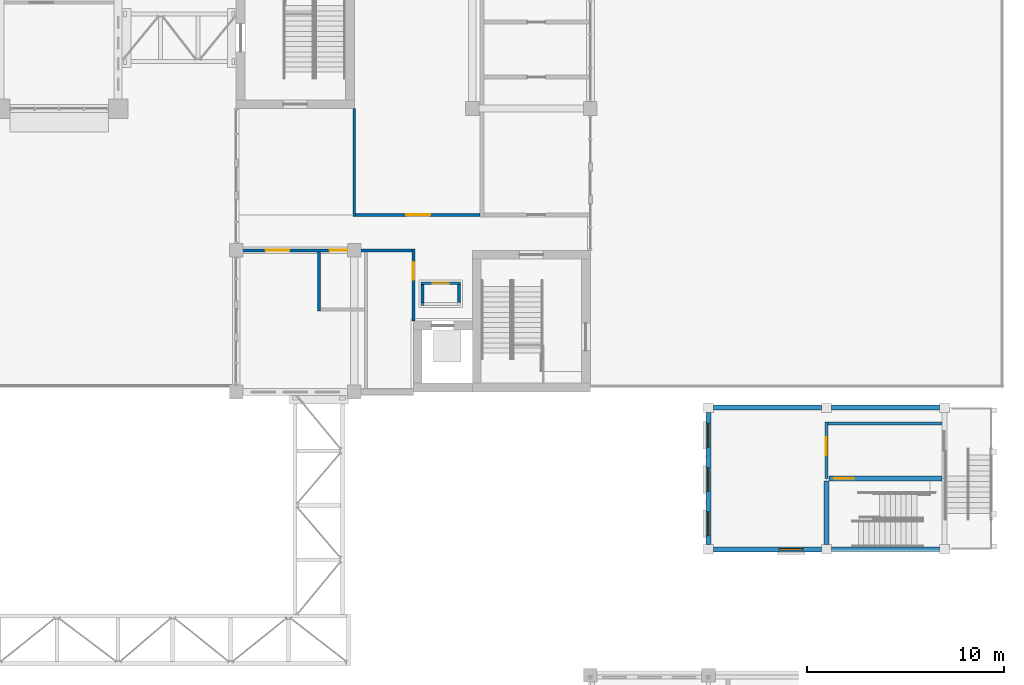
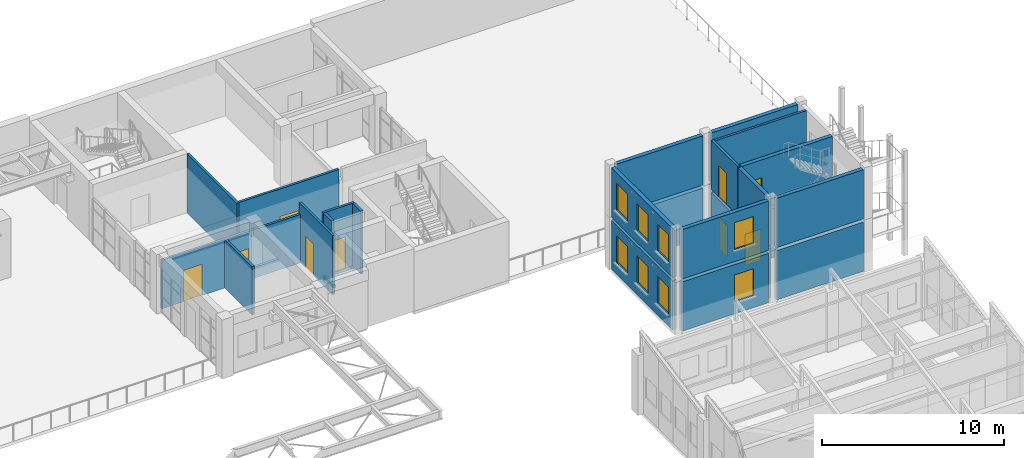
# One storey, part 71 of 103: 28 walls, 9 doors, 8 windows, 17 openings.
"""IFC4 building model written with IfcOpenShell, lengths in metres."""

from ifc_helpers import new_model, si_unit, direction, frame, frame_2d, origin, place, context, subcontext, project, spatial, rectangle, extrude, material, layer, layer_set, type_object, element, fill, save


model = new_model("IFC4")

# Units and contexts
model_context = context("Model", 3, precision=1e-05, world=origin(), true_north=direction((0.0, 1.0)))
body_context = subcontext(model_context, "Body", "Model", "MODEL_VIEW")
ifc_project = project(units=[si_unit("LENGTHUNIT", "METRE"), si_unit("AREAUNIT", "SQUARE_METRE"), si_unit("VOLUMEUNIT", "CUBIC_METRE"), si_unit("PLANEANGLEUNIT", "RADIAN"), si_unit("MASSUNIT", "GRAM", prefix="KILO")], contexts=[model_context])

# Site, building, storey
site_placement = place(None, origin())
site = spatial("IfcSite", under=ifc_project, at=site_placement, CompositionType="ELEMENT")
building_placement = place(site_placement, origin())
building = spatial("IfcBuilding", under=site, at=building_placement, Name="Laocheng Heights Fire and Rescue Headquarters", CompositionType="ELEMENT")
storey_placement = place(building_placement, frame((0.0, 0.0, 4.199951171875)))
storey = spatial("IfcBuildingStorey", under=building, at=storey_placement, Name="L01", CompositionType="ELEMENT", Elevation=4.199951171875)

# Walls
ifc_material_1 = material(Name="Gypsum plaster")
ifc_layer_1 = layer(ifc_material_1, 0.010009765625, Name="PLASTER", Category="plaster")
ifc_material_2 = material(Name="Concrete blockwork MU10", Category="masonry")
ifc_layer_2 = layer(ifc_material_2, 0.1298828125, Name="BLOCKWORK", Category="masonry")
ifc_layer_3 = layer(ifc_material_1, 0.010009765625, Name="PLASTER", Category="plaster")
ifc_layer_set_1 = layer_set([ifc_layer_1, ifc_layer_2, ifc_layer_3], Name="Concrete blockwork MU10")
wall_type_1 = type_object("IfcWallType", Name="BLOCKWORK CORRIDOR WALL 150 EI 60 CREW WING", PredefinedType="PARTITIONING", material=ifc_layer_set_1)
wall_1_placement = place(storey_placement, frame((94.199951171875, 40.125, 0.0), z_axis=(0.0, 0.0, 1.0), x_axis=(0.0, 1.0, 0.0)))
element("IfcWall", 1, at=wall_1_placement, inside=storey, type_object=wall_type_1, Name="Partition L01-001", PredefinedType="PARTITIONING", context=body_context, shape_type="SweptSolid", body=[
    extrude(rectangle(XDim=3.0, YDim=0.14990234375, at=frame_2d((1.5, 0.0))), origin(), (0.0, 0.0, 1.0), 3.25),
])
wall_2_placement = place(storey_placement, frame((96.0, 44.925048828125, 0.0), z_axis=(0.0, 0.0, 1.0), x_axis=(0.0, 1.0, 0.0)))
element("IfcWall", 2, at=wall_2_placement, inside=storey, type_object=wall_type_1, Name="Partition L01-002", PredefinedType="PARTITIONING", context=body_context, shape_type="SweptSolid", body=[
    extrude(rectangle(XDim=5.474853515625, YDim=0.14990234375, at=frame_2d((2.7373046875, 0.0))), origin(), (0.0, 0.0, 1.0), 3.949951171875),
])

# Wall, opening, door
wall_3_placement = place(storey_placement, frame((99.0, 39.60009765625, 0.0), z_axis=(0.0, 0.0, 1.0), x_axis=(0.0, 1.0, 0.0)))
wall_3 = element("IfcWall", 3, at=wall_3_placement, inside=storey, type_object=wall_type_1, Name="Partition L01-004", PredefinedType="PARTITIONING", context=body_context, shape_type="SweptSolid", body=[
    extrude(rectangle(XDim=3.6748046875, YDim=0.14990234375, at=frame_2d((1.83740234375, 0.0))), origin(), (0.0, 0.0, 1.0), 3.949951171875),
])
opening_1_placement = place(wall_3_placement, frame((2.10009765625, 0.0, 0.0)))
opening_1 = element("IfcOpeningElement", 4, at=opening_1_placement, cuts=wall_3, Name="Opening L01-T01", PredefinedType="OPENING", context=body_context, shape_type="SweptSolid", body=[
    extrude(rectangle(XDim=0.89990234375, YDim=2.10009765625, at=frame_2d((0.449951171875, 1.050048828125))), frame((0.0, 0.0849609375, 0.0), z_axis=(0.0, -1.0, 0.0), x_axis=(1.0, 0.0, 0.0)), (0.0, 0.0, 1.0), 0.169921875),
])
ifc_material_3 = material(Name="Timber door leaf, veneered", Category="wood")
door_type_1 = type_object("IfcDoorType", Name="TIMBER DOOR 900x2100 EI 30 CREW WING", OperationType="SINGLE_SWING_LEFT", PredefinedType="DOOR", material=ifc_material_3)
door_1_placement = place(opening_1_placement, origin())
door_1 = element("IfcDoor", 5, at=door_1_placement, inside=storey, type_object=door_type_1, Name="Door L01-T01", OperationType="SINGLE_SWING_RIGHT", OverallHeight=2.10009765625, OverallWidth=0.89990234375, PredefinedType="DOOR", context=body_context, shape_type="SweptSolid", body=[
    extrude(rectangle(XDim=0.89990234375, YDim=2.10009765625, at=frame_2d((0.449951171875, 1.050048828125))), frame((0.0, 0.02490234375, 0.0), z_axis=(0.0, -1.0, 0.0), x_axis=(1.0, 0.0, 0.0)), (0.0, 0.0, 1.0), 0.050048828125),
])
fill(opening_1, door_1)

# Wall, openings, doors
wall_4_placement = place(storey_placement, frame((90.14990234375, 43.199951171875, 0.0), z_axis=(0.0, 0.0, 1.0), x_axis=(1.0, 0.0, 0.0)))
wall_4 = element("IfcWall", 6, at=wall_4_placement, inside=storey, type_object=wall_type_1, Name="Partition L01-007", PredefinedType="PARTITIONING", context=body_context, shape_type="SweptSolid", body=[
    extrude(rectangle(XDim=8.775146484375, YDim=0.14990234375, at=frame_2d((4.3876953125, 0.0))), origin(), (0.0, 0.0, 1.0), 3.25),
])
opening_2_placement = place(wall_4_placement, frame((1.35009765625, 0.0, 0.0)))
opening_2 = element("IfcOpeningElement", 7, at=opening_2_placement, cuts=wall_4, Name="Opening L01-T02", PredefinedType="OPENING", context=body_context, shape_type="SweptSolid", body=[
    extrude(rectangle(XDim=1.199951171875, YDim=2.10009765625, at=frame_2d((0.60009765625, 1.050048828125))), frame((0.0, 0.0849609375, 0.0), z_axis=(0.0, -1.0, 0.0), x_axis=(1.0, 0.0, 0.0)), (0.0, 0.0, 1.0), 0.169921875),
])
opening_3_placement = place(wall_4_placement, frame((4.60009765625, 0.0, 0.0)))
opening_3 = element("IfcOpeningElement", 8, at=opening_3_placement, cuts=wall_4, Name="Opening L01-T03", PredefinedType="OPENING", context=body_context, shape_type="SweptSolid", body=[
    extrude(rectangle(XDim=0.89990234375, YDim=2.10009765625, at=frame_2d((0.449951171875, 1.050048828125))), frame((0.0, 0.0849609375, 0.0), z_axis=(0.0, -1.0, 0.0), x_axis=(1.0, 0.0, 0.0)), (0.0, 0.0, 1.0), 0.169921875),
])
ifc_material_4 = material(Name="Timber door leaf, veneered", Category="wood")
door_type_2 = type_object("IfcDoorType", Name="TIMBER DOOR 1200x2100 EI 30 CREW WING", OperationType="SINGLE_SWING_LEFT", PredefinedType="DOOR", material=ifc_material_4)
door_2_placement = place(opening_2_placement, frame((1.199951171875, 0.0, 0.0), z_axis=(0.0, 0.0, 1.0), x_axis=(-1.0, 0.0, 0.0)))
door_2 = element("IfcDoor", 9, at=door_2_placement, inside=storey, type_object=door_type_2, Name="Door L01-T02", OperationType="SINGLE_SWING_LEFT", OverallHeight=2.10009765625, OverallWidth=1.199951171875, PredefinedType="DOOR", context=body_context, shape_type="SweptSolid", body=[
    extrude(rectangle(XDim=1.199951171875, YDim=2.10009765625, at=frame_2d((0.60009765625, 1.050048828125))), frame((0.0, 0.02490234375, 0.0), z_axis=(0.0, -1.0, 0.0), x_axis=(1.0, 0.0, 0.0)), (0.0, 0.0, 1.0), 0.050048828125),
])
fill(opening_2, door_2)
door_3_placement = place(opening_3_placement, frame((0.89990234375, 0.0, 0.0), z_axis=(0.0, 0.0, 1.0), x_axis=(-1.0, 0.0, 0.0)))
door_3 = element("IfcDoor", 10, at=door_3_placement, inside=storey, type_object=door_type_1, Name="Door L01-T03", OperationType="SINGLE_SWING_RIGHT", OverallHeight=2.10009765625, OverallWidth=0.89990234375, PredefinedType="DOOR", context=body_context, shape_type="SweptSolid", body=[
    extrude(rectangle(XDim=0.89990234375, YDim=2.10009765625, at=frame_2d((0.449951171875, 1.050048828125))), frame((0.0, 0.02490234375, 0.0), z_axis=(0.0, -1.0, 0.0), x_axis=(1.0, 0.0, 0.0)), (0.0, 0.0, 1.0), 0.050048828125),
])
fill(opening_3, door_3)

# Wall, opening, door
wall_5_placement = place(storey_placement, frame((96.074951171875, 45.0, 0.0), z_axis=(0.0, 0.0, 1.0), x_axis=(1.0, 0.0, 0.0)))
wall_5 = element("IfcWall", 11, at=wall_5_placement, inside=storey, type_object=wall_type_1, Name="Partition L01-008", PredefinedType="PARTITIONING", context=body_context, shape_type="SweptSolid", body=[
    extrude(rectangle(XDim=6.324951171875, YDim=0.14990234375, at=frame_2d((3.16259765625, 0.0))), origin(), (0.0, 0.0, 1.0), 3.949951171875),
])
opening_4_placement = place(wall_5_placement, frame((2.574951171875, 0.0, 0.0)))
opening_4 = element("IfcOpeningElement", 12, at=opening_4_placement, cuts=wall_5, Name="Opening L01-T04", PredefinedType="OPENING", context=body_context, shape_type="SweptSolid", body=[
    extrude(rectangle(XDim=1.199951171875, YDim=2.10009765625, at=frame_2d((0.60009765625, 1.050048828125))), frame((0.0, 0.0849609375, 0.0), z_axis=(0.0, -1.0, 0.0), x_axis=(1.0, 0.0, 0.0)), (0.0, 0.0, 1.0), 0.169921875),
])
door_4_placement = place(opening_4_placement, frame((1.199951171875, 0.0, 0.0), z_axis=(0.0, 0.0, 1.0), x_axis=(-1.0, 0.0, 0.0)))
door_4 = element("IfcDoor", 13, at=door_4_placement, inside=storey, type_object=door_type_2, Name="Door L01-T04", OperationType="SINGLE_SWING_RIGHT", OverallHeight=2.10009765625, OverallWidth=1.199951171875, PredefinedType="DOOR", context=body_context, shape_type="SweptSolid", body=[
    extrude(rectangle(XDim=1.199951171875, YDim=2.10009765625, at=frame_2d((0.60009765625, 1.050048828125))), frame((0.0, 0.02490234375, 0.0), z_axis=(0.0, -1.0, 0.0), x_axis=(1.0, 0.0, 0.0)), (0.0, 0.0, 1.0), 0.050048828125),
])
fill(opening_4, door_4)

ifc_material_5 = material(Name="Gypsum plaster")
ifc_layer_4 = layer(ifc_material_5, 0.010009765625, Name="PLASTER", Category="plaster")
ifc_material_6 = material(Name="Concrete blockwork MU10", Category="masonry")
ifc_layer_5 = layer(ifc_material_6, 0.1298828125, Name="BLOCKWORK", Category="masonry")
ifc_layer_6 = layer(ifc_material_5, 0.010009765625, Name="PLASTER", Category="plaster")
ifc_layer_set_2 = layer_set([ifc_layer_4, ifc_layer_5, ifc_layer_6], Name="Concrete blockwork MU10")
wall_type_2 = type_object("IfcWallType", Name="BLOCKWORK STAIR LANDING WALL 150 EI 120 DRILL TOWER", PredefinedType="PARTITIONING", material=ifc_layer_set_2)
wall_6_placement = place(storey_placement, frame((120.0, 31.60009765625, -0.699951171875), z_axis=(0.0, 0.0, 1.0), x_axis=(0.0, 1.0, 0.0)))
wall_6 = element("IfcWall", 14, at=wall_6_placement, inside=storey, type_object=wall_type_2, Name="Landing partition F2", PredefinedType="PARTITIONING", context=body_context, shape_type="SweptSolid", body=[
    extrude(rectangle(XDim=2.875, YDim=0.14990234375, at=frame_2d((1.4375, 0.0))), origin(), (0.0, 0.0, 1.0), 3.300048828125),
])
opening_5_placement = place(wall_6_placement, frame((1.1875, 0.0, 0.0)))
opening_5 = element("IfcOpeningElement", 15, at=opening_5_placement, cuts=wall_6, Name="Opening L01-L51", PredefinedType="OPENING", context=body_context, shape_type="SweptSolid", body=[
    extrude(rectangle(XDim=0.89990234375, YDim=2.10009765625, at=frame_2d((0.449951171875, 1.050048828125))), frame((0.0, 0.0849609375, 0.0), z_axis=(0.0, -1.0, 0.0), x_axis=(1.0, 0.0, 0.0)), (0.0, 0.0, 1.0), 0.169921875),
])
ifc_material_7 = material(Name="Steel door leaf, painted", Category="steel")
door_type_3 = type_object("IfcDoorType", Name="STEEL FIRE DOOR 900x2100 EI 90 DRILL TOWER", OperationType="SINGLE_SWING_LEFT", PredefinedType="DOOR", material=ifc_material_7)
door_5_placement = place(opening_5_placement, frame((0.89990234375, 0.0, 0.0), z_axis=(0.0, 0.0, 1.0), x_axis=(-1.0, 0.0, 0.0)))
door_5 = element("IfcDoor", 16, at=door_5_placement, inside=storey, type_object=door_type_3, Name="Door L01-L51", OperationType="SINGLE_SWING_LEFT", OverallHeight=2.10009765625, OverallWidth=0.89990234375, PredefinedType="DOOR", context=body_context, shape_type="SweptSolid", body=[
    extrude(rectangle(XDim=0.89990234375, YDim=2.10009765625, at=frame_2d((0.449951171875, 1.050048828125))), frame((0.0, 0.02490234375, 0.0), z_axis=(0.0, -1.0, 0.0), x_axis=(1.0, 0.0, 0.0)), (0.0, 0.0, 1.0), 0.050048828125),
])
fill(opening_5, door_5)

# Wall
wall_7_placement = place(storey_placement, frame((120.074951171875, 34.39990234375, -0.699951171875), z_axis=(0.0, 0.0, 1.0), x_axis=(1.0, 0.0, 0.0)))
element("IfcWall", 17, at=wall_7_placement, inside=storey, type_object=wall_type_2, Name="Landing partition F2", PredefinedType="PARTITIONING", context=body_context, shape_type="SweptSolid", body=[
    extrude(rectangle(XDim=5.800048828125, YDim=0.14990234375, at=frame_2d((2.89990234375, 0.0))), origin(), (0.0, 0.0, 1.0), 3.300048828125),
])

# Wall, opening, door
wall_8_placement = place(storey_placement, frame((120.0, 31.60009765625, 2.800048828125), z_axis=(0.0, 0.0, 1.0), x_axis=(0.0, 1.0, 0.0)))
wall_8 = element("IfcWall", 18, at=wall_8_placement, inside=storey, type_object=wall_type_2, Name="Landing partition F3", PredefinedType="PARTITIONING", context=body_context, shape_type="SweptSolid", body=[
    extrude(rectangle(XDim=2.875, YDim=0.14990234375, at=frame_2d((1.4375, 0.0))), origin(), (0.0, 0.0, 1.0), 3.300048828125),
])
opening_6_placement = place(wall_8_placement, frame((1.1875, 0.0, 0.0)))
opening_6 = element("IfcOpeningElement", 19, at=opening_6_placement, cuts=wall_8, Name="Opening L01-L52", PredefinedType="OPENING", context=body_context, shape_type="SweptSolid", body=[
    extrude(rectangle(XDim=0.89990234375, YDim=2.10009765625, at=frame_2d((0.449951171875, 1.050048828125))), frame((0.0, 0.0849609375, 0.0), z_axis=(0.0, -1.0, 0.0), x_axis=(1.0, 0.0, 0.0)), (0.0, 0.0, 1.0), 0.169921875),
])
door_6_placement = place(opening_6_placement, frame((0.89990234375, 0.0, 0.0), z_axis=(0.0, 0.0, 1.0), x_axis=(-1.0, 0.0, 0.0)))
door_6 = element("IfcDoor", 20, at=door_6_placement, inside=storey, type_object=door_type_3, Name="Door L01-L52", OperationType="SINGLE_SWING_LEFT", OverallHeight=2.10009765625, OverallWidth=0.89990234375, PredefinedType="DOOR", context=body_context, shape_type="SweptSolid", body=[
    extrude(rectangle(XDim=0.89990234375, YDim=2.10009765625, at=frame_2d((0.449951171875, 1.050048828125))), frame((0.0, 0.02490234375, 0.0), z_axis=(0.0, -1.0, 0.0), x_axis=(1.0, 0.0, 0.0)), (0.0, 0.0, 1.0), 0.050048828125),
])
fill(opening_6, door_6)

# Wall
wall_9_placement = place(storey_placement, frame((120.074951171875, 34.39990234375, 2.800048828125), z_axis=(0.0, 0.0, 1.0), x_axis=(1.0, 0.0, 0.0)))
element("IfcWall", 21, at=wall_9_placement, inside=storey, type_object=wall_type_2, Name="Landing partition F3", PredefinedType="PARTITIONING", context=body_context, shape_type="SweptSolid", body=[
    extrude(rectangle(XDim=5.800048828125, YDim=0.14990234375, at=frame_2d((2.89990234375, 0.0))), origin(), (0.0, 0.0, 1.0), 3.300048828125),
])

# Wall, opening, window
ifc_material_8 = material(Name="Concrete C40", Category="concrete")
ifc_layer_7 = layer(ifc_material_8, 0.25)
ifc_layer_set_3 = layer_set([ifc_layer_7], Name="Concrete C40")
wall_type_3 = type_object("IfcWallType", Name="RC SHEAR WALL 250 BOARD-MARKED DRILL TOWER", PredefinedType="SHEAR", material=ifc_layer_set_3)
wall_10_placement = place(storey_placement, frame((114.25, 28.0, -0.699951171875), z_axis=(0.0, 0.0, 1.0), x_axis=(1.0, 0.0, 0.0)))
wall_10 = element("IfcWall", 22, at=wall_10_placement, inside=storey, type_object=wall_type_3, Name="Drill tower wall S F2", PredefinedType="SHEAR", context=body_context, shape_type="SweptSolid", body=[
    extrude(rectangle(XDim=5.5, YDim=0.25, at=frame_2d((2.75, 0.0))), origin(), (0.0, 0.0, 1.0), 3.300048828125),
])
opening_7_placement = place(wall_10_placement, frame((3.35009765625, 0.0, 0.800048828125)))
opening_7 = element("IfcOpeningElement", 23, at=opening_7_placement, cuts=wall_10, Name="Opening N3-L", PredefinedType="OPENING", context=body_context, shape_type="SweptSolid", body=[
    extrude(rectangle(XDim=1.199951171875, YDim=1.800048828125, at=frame_2d((0.60009765625, 0.89990234375))), frame((0.0, 0.135009765625, 0.0), z_axis=(0.0, -1.0, 0.0), x_axis=(1.0, 0.0, 0.0)), (0.0, 0.0, 1.0), 0.27001953125),
])
ifc_material_9 = material(Name="Steel frame, single glazing", Category="steel")
window_type = type_object("IfcWindowType", Name="STEEL TRAINING WINDOW 1200 x 1800", PartitioningType="SINGLE_PANEL", PredefinedType="WINDOW", material=ifc_material_9)
window_1_placement = place(opening_7_placement, origin())
window_1 = element("IfcWindow", 24, at=window_1_placement, inside=storey, type_object=window_type, Name="Training window second floor south face", OverallHeight=1.800048828125, OverallWidth=1.199951171875, PartitioningType="SINGLE_PANEL", PredefinedType="WINDOW", context=body_context, shape_type="SweptSolid", body=[
    extrude(rectangle(XDim=1.199951171875, YDim=1.800048828125, at=frame_2d((0.60009765625, 0.89990234375))), frame((0.0, 0.030029296875, 0.0), z_axis=(0.0, -1.0, 0.0), x_axis=(1.0, 0.0, 0.0)), (0.0, 0.0, 1.0), 0.06005859375),
])
fill(opening_7, window_1)

# Walls
for number, where, z_axis, x_axis, name in (
    (25, (114.25, 35.199951171875, -0.699951171875), (0.0, 0.0, 1.0), (1.0, 0.0, 0.0), "Drill tower wall N F2"),
    (26, (120.25, 35.199951171875, -0.699951171875), (0.0, 0.0, 1.0), (1.0, 0.0, 0.0), "Drill tower wall N F2"),
):
    element("IfcWall", number, at=place(storey_placement, frame(where, z_axis=z_axis, x_axis=x_axis)), inside=storey, type_object=wall_type_3, Name=name, PredefinedType="SHEAR", context=body_context, shape_type="SweptSolid", body=[
        extrude(rectangle(XDim=5.5, YDim=0.25, at=frame_2d((2.75, 0.0))), origin(), (0.0, 0.0, 1.0), 3.300048828125),
    ])

# Wall, openings, windows
wall_11_placement = place(storey_placement, frame((114.0, 28.25, -0.699951171875), z_axis=(0.0, 0.0, 1.0), x_axis=(0.0, 1.0, 0.0)))
wall_11 = element("IfcWall", 27, at=wall_11_placement, inside=storey, type_object=wall_type_3, Name="Drill tower wall W F2", PredefinedType="SHEAR", context=body_context, shape_type="SweptSolid", body=[
    extrude(rectangle(XDim=6.699951171875, YDim=0.25, at=frame_2d((3.35009765625, 0.0))), origin(), (0.0, 0.0, 1.0), 3.300048828125),
])
opening_8_placement = place(wall_11_placement, frame((0.449951171875, 0.0, 0.800048828125)))
opening_8 = element("IfcOpeningElement", 28, at=opening_8_placement, cuts=wall_11, Name="Opening N3-L", PredefinedType="OPENING", context=body_context, shape_type="SweptSolid", body=[
    extrude(rectangle(XDim=1.199951171875, YDim=1.800048828125, at=frame_2d((0.60009765625, 0.89990234375))), frame((0.0, 0.135009765625, 0.0), z_axis=(0.0, -1.0, 0.0), x_axis=(1.0, 0.0, 0.0)), (0.0, 0.0, 1.0), 0.27001953125),
])
opening_9_placement = place(wall_11_placement, frame((2.699951171875, 0.0, 0.800048828125)))
opening_9 = element("IfcOpeningElement", 29, at=opening_9_placement, cuts=wall_11, Name="Opening N3-L", PredefinedType="OPENING", context=body_context, shape_type="SweptSolid", body=[
    extrude(rectangle(XDim=1.199951171875, YDim=1.800048828125, at=frame_2d((0.60009765625, 0.89990234375))), frame((0.0, 0.135009765625, 0.0), z_axis=(0.0, -1.0, 0.0), x_axis=(1.0, 0.0, 0.0)), (0.0, 0.0, 1.0), 0.27001953125),
])
opening_10_placement = place(wall_11_placement, frame((4.949951171875, 0.0, 0.800048828125)))
opening_10 = element("IfcOpeningElement", 30, at=opening_10_placement, cuts=wall_11, Name="Opening N3-L", PredefinedType="OPENING", context=body_context, shape_type="SweptSolid", body=[
    extrude(rectangle(XDim=1.199951171875, YDim=1.800048828125, at=frame_2d((0.60009765625, 0.89990234375))), frame((0.0, 0.135009765625, 0.0), z_axis=(0.0, -1.0, 0.0), x_axis=(1.0, 0.0, 0.0)), (0.0, 0.0, 1.0), 0.27001953125),
])
window_2_placement = place(opening_8_placement, origin())
window_2 = element("IfcWindow", 31, at=window_2_placement, inside=storey, type_object=window_type, Name="Training window second floor west face", OverallHeight=1.800048828125, OverallWidth=1.199951171875, PartitioningType="SINGLE_PANEL", PredefinedType="WINDOW", context=body_context, shape_type="SweptSolid", body=[
    extrude(rectangle(XDim=1.199951171875, YDim=1.800048828125, at=frame_2d((0.60009765625, 0.89990234375))), frame((0.0, 0.030029296875, 0.0), z_axis=(0.0, -1.0, 0.0), x_axis=(1.0, 0.0, 0.0)), (0.0, 0.0, 1.0), 0.06005859375),
])
fill(opening_8, window_2)
window_3_placement = place(opening_9_placement, origin())
window_3 = element("IfcWindow", 32, at=window_3_placement, inside=storey, type_object=window_type, Name="Training window second floor west face", OverallHeight=1.800048828125, OverallWidth=1.199951171875, PartitioningType="SINGLE_PANEL", PredefinedType="WINDOW", context=body_context, shape_type="SweptSolid", body=[
    extrude(rectangle(XDim=1.199951171875, YDim=1.800048828125, at=frame_2d((0.60009765625, 0.89990234375))), frame((0.0, 0.030029296875, 0.0), z_axis=(0.0, -1.0, 0.0), x_axis=(1.0, 0.0, 0.0)), (0.0, 0.0, 1.0), 0.06005859375),
])
fill(opening_9, window_3)
window_4_placement = place(opening_10_placement, origin())
window_4 = element("IfcWindow", 33, at=window_4_placement, inside=storey, type_object=window_type, Name="Training window second floor west face", OverallHeight=1.800048828125, OverallWidth=1.199951171875, PartitioningType="SINGLE_PANEL", PredefinedType="WINDOW", context=body_context, shape_type="SweptSolid", body=[
    extrude(rectangle(XDim=1.199951171875, YDim=1.800048828125, at=frame_2d((0.60009765625, 0.89990234375))), frame((0.0, 0.030029296875, 0.0), z_axis=(0.0, -1.0, 0.0), x_axis=(1.0, 0.0, 0.0)), (0.0, 0.0, 1.0), 0.06005859375),
])
fill(opening_10, window_4)

# Wall, opening, window
wall_12_placement = place(storey_placement, frame((114.25, 28.0, 2.800048828125), z_axis=(0.0, 0.0, 1.0), x_axis=(1.0, 0.0, 0.0)))
wall_12 = element("IfcWall", 34, at=wall_12_placement, inside=storey, type_object=wall_type_3, Name="Drill tower wall S F3", PredefinedType="SHEAR", context=body_context, shape_type="SweptSolid", body=[
    extrude(rectangle(XDim=5.5, YDim=0.25, at=frame_2d((2.75, 0.0))), origin(), (0.0, 0.0, 1.0), 3.300048828125),
])
opening_11_placement = place(wall_12_placement, frame((3.35009765625, 0.0, 0.800048828125)))
opening_11 = element("IfcOpeningElement", 35, at=opening_11_placement, cuts=wall_12, Name="Opening N4-L", PredefinedType="OPENING", context=body_context, shape_type="SweptSolid", body=[
    extrude(rectangle(XDim=1.199951171875, YDim=1.800048828125, at=frame_2d((0.60009765625, 0.89990234375))), frame((0.0, 0.135009765625, 0.0), z_axis=(0.0, -1.0, 0.0), x_axis=(1.0, 0.0, 0.0)), (0.0, 0.0, 1.0), 0.27001953125),
])
window_5_placement = place(opening_11_placement, origin())
window_5 = element("IfcWindow", 36, at=window_5_placement, inside=storey, type_object=window_type, Name="Training window third floor south face", OverallHeight=1.800048828125, OverallWidth=1.199951171875, PartitioningType="SINGLE_PANEL", PredefinedType="WINDOW", context=body_context, shape_type="SweptSolid", body=[
    extrude(rectangle(XDim=1.199951171875, YDim=1.800048828125, at=frame_2d((0.60009765625, 0.89990234375))), frame((0.0, 0.030029296875, 0.0), z_axis=(0.0, -1.0, 0.0), x_axis=(1.0, 0.0, 0.0)), (0.0, 0.0, 1.0), 0.06005859375),
])
fill(opening_11, window_5)

# Walls
for number, where, z_axis, x_axis, name in (
    (37, (114.25, 35.199951171875, 2.800048828125), (0.0, 0.0, 1.0), (1.0, 0.0, 0.0), "Drill tower wall N F3"),
    (38, (120.25, 35.199951171875, 2.800048828125), (0.0, 0.0, 1.0), (1.0, 0.0, 0.0), "Drill tower wall N F3"),
):
    element("IfcWall", number, at=place(storey_placement, frame(where, z_axis=z_axis, x_axis=x_axis)), inside=storey, type_object=wall_type_3, Name=name, PredefinedType="SHEAR", context=body_context, shape_type="SweptSolid", body=[
        extrude(rectangle(XDim=5.5, YDim=0.25, at=frame_2d((2.75, 0.0))), origin(), (0.0, 0.0, 1.0), 3.300048828125),
    ])

# Wall, openings, windows
wall_13_placement = place(storey_placement, frame((114.0, 28.25, 2.800048828125), z_axis=(0.0, 0.0, 1.0), x_axis=(0.0, 1.0, 0.0)))
wall_13 = element("IfcWall", 39, at=wall_13_placement, inside=storey, type_object=wall_type_3, Name="Drill tower wall W F3", PredefinedType="SHEAR", context=body_context, shape_type="SweptSolid", body=[
    extrude(rectangle(XDim=6.699951171875, YDim=0.25, at=frame_2d((3.35009765625, 0.0))), origin(), (0.0, 0.0, 1.0), 3.300048828125),
])
opening_12_placement = place(wall_13_placement, frame((0.449951171875, 0.0, 0.800048828125)))
opening_12 = element("IfcOpeningElement", 40, at=opening_12_placement, cuts=wall_13, Name="Opening N4-L", PredefinedType="OPENING", context=body_context, shape_type="SweptSolid", body=[
    extrude(rectangle(XDim=1.199951171875, YDim=1.800048828125, at=frame_2d((0.60009765625, 0.89990234375))), frame((0.0, 0.135009765625, 0.0), z_axis=(0.0, -1.0, 0.0), x_axis=(1.0, 0.0, 0.0)), (0.0, 0.0, 1.0), 0.27001953125),
])
opening_13_placement = place(wall_13_placement, frame((2.699951171875, 0.0, 0.800048828125)))
opening_13 = element("IfcOpeningElement", 41, at=opening_13_placement, cuts=wall_13, Name="Opening N4-L", PredefinedType="OPENING", context=body_context, shape_type="SweptSolid", body=[
    extrude(rectangle(XDim=1.199951171875, YDim=1.800048828125, at=frame_2d((0.60009765625, 0.89990234375))), frame((0.0, 0.135009765625, 0.0), z_axis=(0.0, -1.0, 0.0), x_axis=(1.0, 0.0, 0.0)), (0.0, 0.0, 1.0), 0.27001953125),
])
opening_14_placement = place(wall_13_placement, frame((4.949951171875, 0.0, 0.800048828125)))
opening_14 = element("IfcOpeningElement", 42, at=opening_14_placement, cuts=wall_13, Name="Opening N4-L", PredefinedType="OPENING", context=body_context, shape_type="SweptSolid", body=[
    extrude(rectangle(XDim=1.199951171875, YDim=1.800048828125, at=frame_2d((0.60009765625, 0.89990234375))), frame((0.0, 0.135009765625, 0.0), z_axis=(0.0, -1.0, 0.0), x_axis=(1.0, 0.0, 0.0)), (0.0, 0.0, 1.0), 0.27001953125),
])
window_6_placement = place(opening_12_placement, origin())
window_6 = element("IfcWindow", 43, at=window_6_placement, inside=storey, type_object=window_type, Name="Training window third floor west face", OverallHeight=1.800048828125, OverallWidth=1.199951171875, PartitioningType="SINGLE_PANEL", PredefinedType="WINDOW", context=body_context, shape_type="SweptSolid", body=[
    extrude(rectangle(XDim=1.199951171875, YDim=1.800048828125, at=frame_2d((0.60009765625, 0.89990234375))), frame((0.0, 0.030029296875, 0.0), z_axis=(0.0, -1.0, 0.0), x_axis=(1.0, 0.0, 0.0)), (0.0, 0.0, 1.0), 0.06005859375),
])
fill(opening_12, window_6)
window_7_placement = place(opening_13_placement, origin())
window_7 = element("IfcWindow", 44, at=window_7_placement, inside=storey, type_object=window_type, Name="Training window third floor west face", OverallHeight=1.800048828125, OverallWidth=1.199951171875, PartitioningType="SINGLE_PANEL", PredefinedType="WINDOW", context=body_context, shape_type="SweptSolid", body=[
    extrude(rectangle(XDim=1.199951171875, YDim=1.800048828125, at=frame_2d((0.60009765625, 0.89990234375))), frame((0.0, 0.030029296875, 0.0), z_axis=(0.0, -1.0, 0.0), x_axis=(1.0, 0.0, 0.0)), (0.0, 0.0, 1.0), 0.06005859375),
])
fill(opening_13, window_7)
window_8_placement = place(opening_14_placement, origin())
window_8 = element("IfcWindow", 45, at=window_8_placement, inside=storey, type_object=window_type, Name="Training window third floor west face", OverallHeight=1.800048828125, OverallWidth=1.199951171875, PartitioningType="SINGLE_PANEL", PredefinedType="WINDOW", context=body_context, shape_type="SweptSolid", body=[
    extrude(rectangle(XDim=1.199951171875, YDim=1.800048828125, at=frame_2d((0.60009765625, 0.89990234375))), frame((0.0, 0.030029296875, 0.0), z_axis=(0.0, -1.0, 0.0), x_axis=(1.0, 0.0, 0.0)), (0.0, 0.0, 1.0), 0.06005859375),
])
fill(opening_14, window_8)

# Walls
ifc_material_10 = material(Name="Concrete C50", Category="concrete")
ifc_layer_8 = layer(ifc_material_10, 0.25)
ifc_layer_set_4 = layer_set([ifc_layer_8], Name="Concrete C50")
wall_type_4 = type_object("IfcWallType", Name="RC STAIR ENCLOSURE WALL 250", PredefinedType="SHEAR", material=ifc_layer_set_4)
wall_14_placement = place(storey_placement, frame((120.25, 28.0, -0.699951171875), z_axis=(0.0, 0.0, 1.0), x_axis=(1.0, 0.0, 0.0)))
element("IfcWall", 46, at=wall_14_placement, inside=storey, type_object=wall_type_4, Name="Stair enclosure wall", PredefinedType="SHEAR", context=body_context, shape_type="SweptSolid", body=[
    extrude(rectangle(XDim=5.5, YDim=0.25, at=frame_2d((2.75, 0.0))), origin(), (0.0, 0.0, 1.0), 3.300048828125),
])
wall_15_placement = place(storey_placement, frame((120.0, 28.25, -0.699951171875), z_axis=(0.0, 0.0, 1.0), x_axis=(0.0, 1.0, 0.0)))
element("IfcWall", 47, at=wall_15_placement, inside=storey, type_object=wall_type_4, Name="Stair enclosure wall", PredefinedType="SHEAR", context=body_context, shape_type="SweptSolid", body=[
    extrude(rectangle(XDim=3.22509765625, YDim=0.25, at=frame_2d((1.612548828125, 0.0))), origin(), (0.0, 0.0, 1.0), 3.300048828125),
])

# Wall, opening, door
wall_16_placement = place(storey_placement, frame((120.125, 31.60009765625, -0.699951171875), z_axis=(0.0, 0.0, 1.0), x_axis=(1.0, 0.0, 0.0)))
wall_16 = element("IfcWall", 48, at=wall_16_placement, inside=storey, type_object=wall_type_4, Name="Stair enclosure wall", PredefinedType="SHEAR", context=body_context, shape_type="SweptSolid", body=[
    extrude(rectangle(XDim=5.75, YDim=0.25, at=frame_2d((2.875, 0.0))), origin(), (0.0, 0.0, 1.0), 3.300048828125),
])
opening_15_placement = place(wall_16_placement, frame((0.27490234375, 0.0, 0.0)))
opening_15 = element("IfcOpeningElement", 49, at=opening_15_placement, cuts=wall_16, Name="Opening L01-K27", PredefinedType="OPENING", context=body_context, shape_type="SweptSolid", body=[
    extrude(rectangle(XDim=1.0, YDim=2.10009765625, at=frame_2d((0.5, 1.050048828125))), frame((0.0, 0.135009765625, 0.0), z_axis=(0.0, -1.0, 0.0), x_axis=(1.0, 0.0, 0.0)), (0.0, 0.0, 1.0), 0.27001953125),
])
ifc_material_11 = material(Name="Painted steel", Category="steel")
door_type_4 = type_object("IfcDoorType", Name="FIRE DOOR 1000x2100 EI 60", OperationType="SINGLE_SWING_LEFT", PredefinedType="DOOR", material=ifc_material_11)
door_7_placement = place(opening_15_placement, origin())
door_7 = element("IfcDoor", 50, at=door_7_placement, inside=storey, type_object=door_type_4, Name="Stair T1 door", OperationType="SINGLE_SWING_LEFT", OverallHeight=2.10009765625, OverallWidth=1.0, PredefinedType="DOOR", context=body_context, shape_type="SweptSolid", body=[
    extrude(rectangle(XDim=1.0, YDim=2.10009765625, at=frame_2d((0.5, 1.050048828125))), frame((0.0, 0.02490234375, 0.0), z_axis=(0.0, -1.0, 0.0), x_axis=(1.0, 0.0, 0.0)), (0.0, 0.0, 1.0), 0.050048828125),
])
fill(opening_15, door_7)

# Walls
wall_17_placement = place(storey_placement, frame((120.25, 28.0, 2.800048828125), z_axis=(0.0, 0.0, 1.0), x_axis=(1.0, 0.0, 0.0)))
element("IfcWall", 51, at=wall_17_placement, inside=storey, type_object=wall_type_4, Name="Stair enclosure wall", PredefinedType="SHEAR", context=body_context, shape_type="SweptSolid", body=[
    extrude(rectangle(XDim=5.5, YDim=0.25, at=frame_2d((2.75, 0.0))), origin(), (0.0, 0.0, 1.0), 3.300048828125),
])
wall_18_placement = place(storey_placement, frame((120.0, 28.25, 2.800048828125), z_axis=(0.0, 0.0, 1.0), x_axis=(0.0, 1.0, 0.0)))
element("IfcWall", 52, at=wall_18_placement, inside=storey, type_object=wall_type_4, Name="Stair enclosure wall", PredefinedType="SHEAR", context=body_context, shape_type="SweptSolid", body=[
    extrude(rectangle(XDim=3.22509765625, YDim=0.25, at=frame_2d((1.612548828125, 0.0))), origin(), (0.0, 0.0, 1.0), 3.300048828125),
])

# Wall, opening, door
wall_19_placement = place(storey_placement, frame((120.125, 31.60009765625, 2.800048828125), z_axis=(0.0, 0.0, 1.0), x_axis=(1.0, 0.0, 0.0)))
wall_19 = element("IfcWall", 53, at=wall_19_placement, inside=storey, type_object=wall_type_4, Name="Stair enclosure wall", PredefinedType="SHEAR", context=body_context, shape_type="SweptSolid", body=[
    extrude(rectangle(XDim=5.75, YDim=0.25, at=frame_2d((2.875, 0.0))), origin(), (0.0, 0.0, 1.0), 3.300048828125),
])
opening_16_placement = place(wall_19_placement, frame((0.27490234375, 0.0, 0.0)))
opening_16 = element("IfcOpeningElement", 54, at=opening_16_placement, cuts=wall_19, Name="Opening L01-K28", PredefinedType="OPENING", context=body_context, shape_type="SweptSolid", body=[
    extrude(rectangle(XDim=1.0, YDim=2.10009765625, at=frame_2d((0.5, 1.050048828125))), frame((0.0, 0.135009765625, 0.0), z_axis=(0.0, -1.0, 0.0), x_axis=(1.0, 0.0, 0.0)), (0.0, 0.0, 1.0), 0.27001953125),
])
door_8_placement = place(opening_16_placement, frame((1.0, 0.0, 0.0), z_axis=(0.0, 0.0, 1.0), x_axis=(-1.0, 0.0, 0.0)))
door_8 = element("IfcDoor", 55, at=door_8_placement, inside=storey, type_object=door_type_4, Name="Stair T1 door", OperationType="SINGLE_SWING_RIGHT", OverallHeight=2.10009765625, OverallWidth=1.0, PredefinedType="DOOR", context=body_context, shape_type="SweptSolid", body=[
    extrude(rectangle(XDim=1.0, YDim=2.10009765625, at=frame_2d((0.5, 1.050048828125))), frame((0.0, 0.02490234375, 0.0), z_axis=(0.0, -1.0, 0.0), x_axis=(1.0, 0.0, 0.0)), (0.0, 0.0, 1.0), 0.050048828125),
])
fill(opening_16, door_8)

# Walls
ifc_material_12 = material(Name="Concrete C30", Category="concrete")
ifc_layer_9 = layer(ifc_material_12, 0.14990234375)
ifc_layer_set_5 = layer_set([ifc_layer_9], Name="Concrete C30")
wall_type_5 = type_object("IfcWallType", Name="RISER KERB WALL 150", PredefinedType="SOLIDWALL", material=ifc_layer_set_5)
wall_20_placement = place(storey_placement, frame((99.39990234375, 41.52490234375, -0.199951171875), z_axis=(0.0, 0.0, 1.0), x_axis=(1.0, 0.0, 0.0)))
element("IfcWall", 56, at=wall_20_placement, inside=storey, type_object=wall_type_5, Name="Riser kerb wall", PredefinedType="SOLIDWALL", context=body_context, shape_type="SweptSolid", body=[
    extrude(rectangle(XDim=2.0, YDim=0.14990234375, at=frame_2d((1.0, 0.0))), origin(), (0.0, 0.0, 1.0), 0.199951171875),
])
wall_21_placement = place(storey_placement, frame((99.47509765625, 40.39990234375, -0.199951171875), z_axis=(0.0, 0.0, 1.0), x_axis=(0.0, 1.0, 0.0)))
element("IfcWall", 57, at=wall_21_placement, inside=storey, type_object=wall_type_5, Name="Riser kerb wall", PredefinedType="SOLIDWALL", context=body_context, shape_type="SweptSolid", body=[
    extrude(rectangle(XDim=1.050048828125, YDim=0.14990234375, at=frame_2d((0.52490234375, 0.0))), origin(), (0.0, 0.0, 1.0), 0.199951171875),
])

# Wall, opening, door
ifc_material_13 = material(Name="Concrete C30", Category="concrete")
ifc_layer_10 = layer(ifc_material_13, 0.14990234375)
ifc_layer_set_6 = layer_set([ifc_layer_10], Name="Concrete C30")
wall_type_6 = type_object("IfcWallType", Name="RISER SHAFT WALL 150", PredefinedType="SOLIDWALL", material=ifc_layer_set_6)
wall_22_placement = place(storey_placement, frame((99.39990234375, 41.52490234375, 0.0), z_axis=(0.0, 0.0, 1.0), x_axis=(1.0, 0.0, 0.0)))
wall_22 = element("IfcWall", 58, at=wall_22_placement, inside=storey, type_object=wall_type_6, Name="Riser shaft wall", PredefinedType="SOLIDWALL", context=body_context, shape_type="SweptSolid", body=[
    extrude(rectangle(XDim=2.0, YDim=0.14990234375, at=frame_2d((1.0, 0.0))), origin(), (0.0, 0.0, 1.0), 4.199951171875),
])
opening_17_placement = place(wall_22_placement, frame((0.60009765625, 0.0, 0.0)))
opening_17 = element("IfcOpeningElement", 59, at=opening_17_placement, cuts=wall_22, Name="Opening L01-K19", PredefinedType="OPENING", context=body_context, shape_type="SweptSolid", body=[
    extrude(rectangle(XDim=0.800048828125, YDim=2.10009765625, at=frame_2d((0.39990234375, 1.050048828125))), frame((0.0, 0.0849609375, 0.0), z_axis=(0.0, -1.0, 0.0), x_axis=(1.0, 0.0, 0.0)), (0.0, 0.0, 1.0), 0.169921875),
])
ifc_material_14 = material(Name="Painted steel", Category="steel")
door_type_5 = type_object("IfcDoorType", Name="RISER ACCESS DOOR 800x2100 EI 30", OperationType="SINGLE_SWING_LEFT", PredefinedType="DOOR", material=ifc_material_14)
door_9_placement = place(opening_17_placement, origin())
door_9 = element("IfcDoor", 60, at=door_9_placement, inside=storey, type_object=door_type_5, Name="Riser RC1 access door", OperationType="SINGLE_SWING_LEFT", OverallHeight=2.10009765625, OverallWidth=0.800048828125, PredefinedType="DOOR", context=body_context, shape_type="SweptSolid", body=[
    extrude(rectangle(XDim=0.800048828125, YDim=2.10009765625, at=frame_2d((0.39990234375, 1.050048828125))), frame((0.0, 0.02490234375, 0.0), z_axis=(0.0, -1.0, 0.0), x_axis=(1.0, 0.0, 0.0)), (0.0, 0.0, 1.0), 0.050048828125),
])
fill(opening_17, door_9)

# Walls
for number, where, z_axis, x_axis, name in (
    (61, (99.47509765625, 40.550048828125, 0.0), (0.0, 0.0, 1.0), (0.0, 1.0, 0.0), "Riser shaft wall"),
    (62, (101.324951171875, 40.550048828125, 0.0), (0.0, 0.0, 1.0), (0.0, 1.0, 0.0), "Riser shaft wall"),
):
    element("IfcWall", number, at=place(storey_placement, frame(where, z_axis=z_axis, x_axis=x_axis)), inside=storey, type_object=wall_type_6, Name=name, PredefinedType="SOLIDWALL", context=body_context, shape_type="SweptSolid", body=[
        extrude(rectangle(XDim=0.89990234375, YDim=0.14990234375, at=frame_2d((0.449951171875, 0.0))), origin(), (0.0, 0.0, 1.0), 4.199951171875),
    ])

save(model, "model.ifc")
